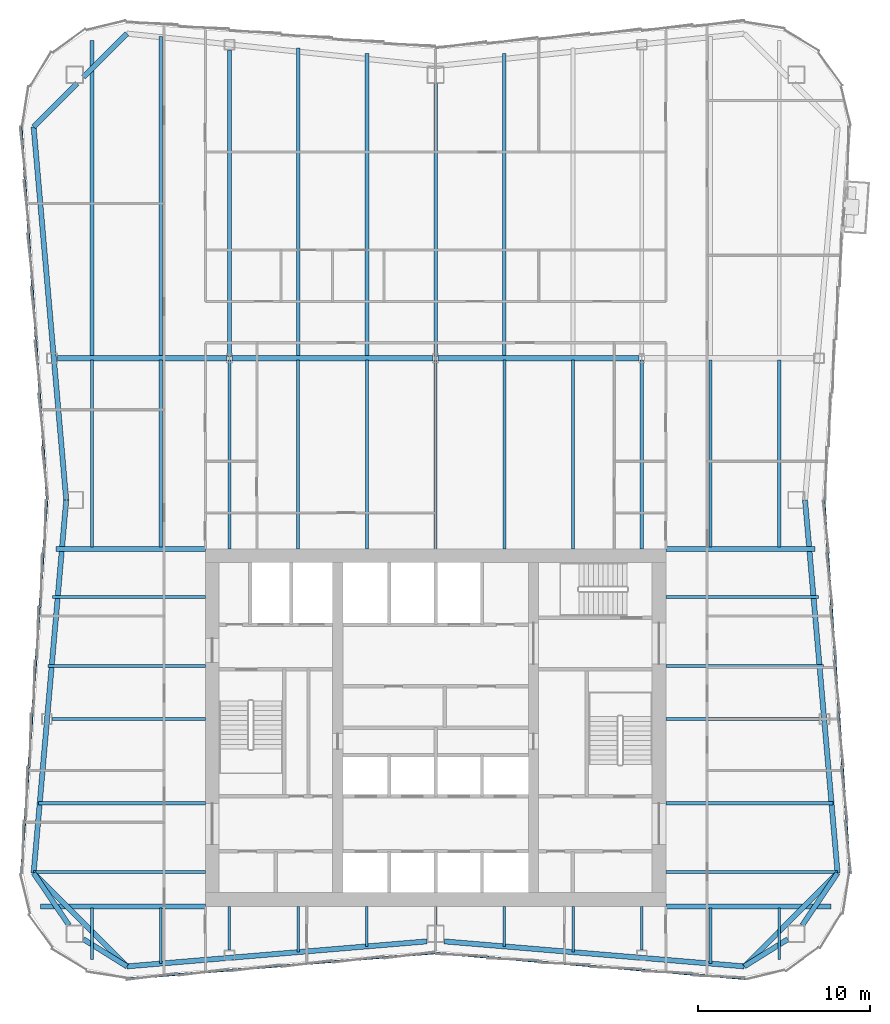
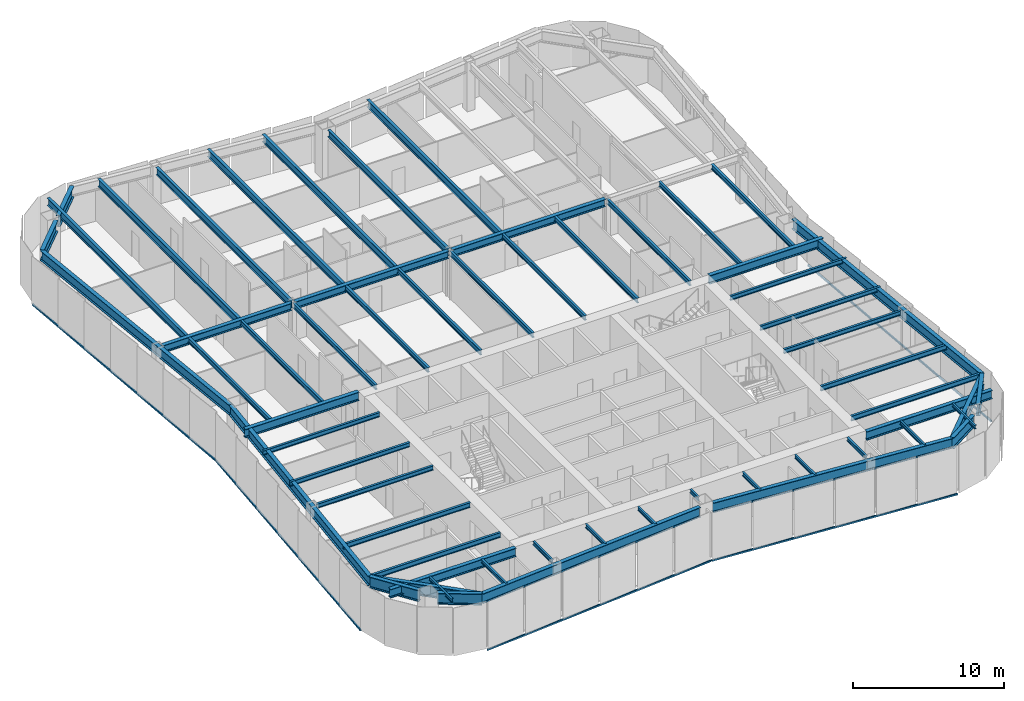
# One storey, part 3 of 12: 59 beams, 5 members, 3 elements without a shape of their own.
"""IFC4 building model written with IfcOpenShell, lengths in metres."""

import ifcopenshell
import ifcopenshell.guid

model = None  # the IFC model being written
_history = None  # IfcOwnerHistory: only IFC2X3 demands one
_inside = {}  # id of a spatial element -> (the spatial element, [elements in it])
_under = {}  # id of a project, library or spatial element -> (it, [spatial elements below it])
_declared = {}  # id of a project -> (the project, [libraries it declares])
_typed = {}  # id of a type object -> (the type object, [elements of that type])
_made_of = {}  # id of a material, layer set ... -> (it, [elements and type objects made of it])


def new_model(schema):
    """Start an empty IFC model of exactly this schema.

    Asked for "IFC4X3", IfcOpenShell would pick the latest addendum, in which some entities
    have other attributes; the version numbers below select the first issue.
    IFC2X3 requires an IfcOwnerHistory on every rooted entity: one is made here for all.
    """
    global model, _history
    if schema == "IFC4X3":
        model = ifcopenshell.file(schema_version=(4, 3, 0, 0))
    else:
        model = ifcopenshell.file(schema=schema)
    _inside.clear()
    _under.clear()
    _declared.clear()
    _typed.clear()
    _made_of.clear()
    _history = None
    if model.schema == "IFC2X3":
        org = make("IfcOrganization", Name="unknown")
        user = make(
            "IfcPersonAndOrganization",
            ThePerson=make("IfcPerson", FamilyName="unknown"),
            TheOrganization=org,
        )
        app = make(
            "IfcApplication",
            ApplicationDeveloper=org,
            Version="unknown",
            ApplicationFullName="unknown",
            ApplicationIdentifier="unknown",
        )
        _history = make(
            "IfcOwnerHistory",
            OwningUser=user,
            OwningApplication=app,
            ChangeAction="ADDED",
            CreationDate=0,
        )
    return model


def make(cls, **values):
    """One entity of the class cls with the attributes given. An attribute that is None is left unset."""
    return model.create_entity(
        cls, **{name: value for name, value in values.items() if value is not None}
    )


def rooted(cls, **values):
    """An entity with a GlobalId (a new one), such as an element, a storey or a relation."""
    return make(cls, GlobalId=ifcopenshell.guid.new(), OwnerHistory=_history, **values)


def si_unit(unit_type, name, prefix=None):
    """IfcSIUnit, for example si_unit("LENGTHUNIT", "METRE", prefix="MILLI")."""
    return make("IfcSIUnit", UnitType=unit_type, Prefix=prefix, Name=name)


def assignment(units):
    """IfcUnitAssignment: the units of a project."""
    return None if units is None else make("IfcUnitAssignment", Units=units)


def point(xyz):
    """IfcCartesianPoint."""
    return None if xyz is None else make("IfcCartesianPoint", Coordinates=xyz)


def direction(xyz):
    """IfcDirection."""
    return None if xyz is None else make("IfcDirection", DirectionRatios=xyz)


def frame(location, z_axis=None, x_axis=None):
    """IfcAxis2Placement3D, a coordinate frame: its origin and axes. An axis left out is left unset."""
    return make(
        "IfcAxis2Placement3D",
        Location=point(location),
        Axis=direction(z_axis),
        RefDirection=direction(x_axis),
    )


def frame_2d(location, x_axis=None):
    """IfcAxis2Placement2D, a coordinate frame in the plane: its origin and x axis."""
    return make(
        "IfcAxis2Placement2D", Location=point(location), RefDirection=direction(x_axis)
    )


def origin():
    """The frame at (0, 0, 0) with its axes left unset."""
    return frame((0.0, 0.0, 0.0))


def origin_2d():
    """The frame at (0, 0) in the plane with its x axis left unset."""
    return frame_2d((0.0, 0.0))


def place(relative_to, where):
    """IfcLocalPlacement: puts the frame where relative to a parent placement (None: the world)."""
    return make(
        "IfcLocalPlacement", PlacementRelTo=relative_to, RelativePlacement=where
    )


def context(
    kind, dimensions, precision=None, world=None, true_north=None, identifier=None
):
    """IfcGeometricRepresentationContext, for example the 3D "Model" context."""
    return make(
        "IfcGeometricRepresentationContext",
        ContextIdentifier=identifier,
        ContextType=kind,
        CoordinateSpaceDimension=dimensions,
        Precision=precision,
        WorldCoordinateSystem=world,
        TrueNorth=true_north,
    )


def subcontext(parent, identifier, kind, view, scale=None):
    """IfcGeometricRepresentationSubContext, for example "Body" below "Model"."""
    return make(
        "IfcGeometricRepresentationSubContext",
        ContextIdentifier=identifier,
        ContextType=kind,
        ParentContext=parent,
        TargetScale=scale,
        TargetView=view,
    )


def project(units=None, contexts=None):
    """IfcProject with its units and contexts."""
    return rooted(
        "IfcProject",
        Name="project",
        RepresentationContexts=contexts,
        UnitsInContext=assignment(units),
    )


def spatial(cls, under=None, at=None, **own):
    """A site, building, storey or space (cls), placed at a placement, below another one or the project."""
    s = rooted(cls, ObjectPlacement=at, **own)
    if under is not None:
        _under.setdefault(under.id(), (under, []))[1].append(s)
    return s


def profile(cls, at=None, kind="AREA", **sizes):
    """A parametric profile (cls). Its sizes go by their IFC names, for example OverallWidth=200.0."""
    return make(cls, ProfileType=kind, Position=at, **sizes)


def rectangle(**sizes):
    """IfcRectangleProfileDef."""
    return profile("IfcRectangleProfileDef", **sizes)


def i_section(**sizes):
    """IfcIShapeProfileDef."""
    return profile("IfcIShapeProfileDef", **sizes)


def extrude(swept, where, along, depth):
    """IfcExtrudedAreaSolid: the profile swept, set in the frame where, extruded along a direction by depth."""
    return make(
        "IfcExtrudedAreaSolid",
        SweptArea=swept,
        Position=where,
        ExtrudedDirection=direction(along),
        Depth=depth,
    )


def shape(context_of_items, identifier, shape_type, items):
    """IfcShapeRepresentation: the items that make up one representation, for example the "Body"."""
    return make(
        "IfcShapeRepresentation",
        ContextOfItems=context_of_items,
        RepresentationIdentifier=identifier,
        RepresentationType=shape_type,
        Items=items,
    )


def material(Name=None, Category=None):
    """IfcMaterial."""
    return make("IfcMaterial", Name=Name, Category=Category)


def material_profile(
    of_material, cross_section, Name=None, Category=None, Priority=None
):
    """IfcMaterialProfile: a cross section and its material."""
    return make(
        "IfcMaterialProfile",
        Name=Name,
        Material=of_material,
        Profile=cross_section,
        Priority=Priority,
        Category=Category,
    )


def profile_set(profiles, Name=None, composite=None):
    """IfcMaterialProfileSet."""
    return make(
        "IfcMaterialProfileSet",
        Name=Name,
        MaterialProfiles=profiles,
        CompositeProfile=composite,
    )


def made_of(thing, what):
    """Note that an element or type object is made of a material, layer set ...; save() writes the relation."""
    if what is not None:
        _made_of.setdefault(what.id(), (what, []))[1].append(thing)
    return thing


def type_object(cls, material=None, **own):
    """A type object (cls), such as IfcWallType, which elements share."""
    return made_of(rooted(cls, **own), material)


def element(
    cls,
    number,
    at=None,
    inside=None,
    cuts=None,
    type_object=None,
    material=None,
    context=None,
    identifier="Body",
    shape_type=None,
    held_by="IfcProductDefinitionShape",
    body=None,
    shapes=None,
    **own,
):
    """One element of the class cls, such as IfcWall. Its Tag is "e" and its number.

    at: its placement. inside: the storey or other place that contains it. cuts: it is an
    opening in that element (IfcRelVoidsElement). A single representation is given by context,
    identifier, shape_type and body (its items); several are given by shapes. held_by: the class
    of the entity that holds the representations. save() writes the other relations.
    """
    e = rooted(cls, Tag="e%d" % number, ObjectPlacement=at, **own)
    if body is not None:
        shapes = [shape(context, identifier, shape_type, body)]
    if shapes is not None:
        e.Representation = make(held_by, Representations=shapes)
    if inside is not None:
        _inside.setdefault(inside.id(), (inside, []))[1].append(e)
    if cuts is not None:
        rooted(
            "IfcRelVoidsElement", RelatingBuildingElement=cuts, RelatedOpeningElement=e
        )
    if type_object is not None:
        _typed.setdefault(type_object.id(), (type_object, []))[1].append(e)
    return made_of(e, material)


def aggregate(whole, parts):
    """IfcRelAggregates: a whole, such as a stair, and the parts it consists of."""
    return rooted("IfcRelAggregates", RelatingObject=whole, RelatedObjects=parts)


def save(model, path):
    """Write the relations noted so far, then the file.

    IfcRelAggregates (storeys below a building ...), IfcRelContainedInSpatialStructure (elements
    in a storey), IfcRelDefinesByType, IfcRelAssociatesMaterial and IfcRelDeclares: one each for
    every whole, place, type object, material and project.
    """
    for whole, parts in _under.values():
        aggregate(whole, parts)
    for where, things in _inside.values():
        rooted(
            "IfcRelContainedInSpatialStructure",
            RelatedElements=things,
            RelatingStructure=where,
        )
    for kind, things in _typed.values():
        rooted("IfcRelDefinesByType", RelatedObjects=things, RelatingType=kind)
    for what, things in _made_of.values():
        rooted("IfcRelAssociatesMaterial", RelatedObjects=things, RelatingMaterial=what)
    for by, libraries in _declared.values():
        rooted("IfcRelDeclares", RelatingContext=by, RelatedDefinitions=libraries)
    model.write(path)


model = new_model("IFC4")

# Units and contexts
model_context = context("Model", 3, precision=1e-05, world=origin(), true_north=direction((0.0, 1.0)))
body_context = subcontext(model_context, "Body", "Model", "MODEL_VIEW")
ifc_project = project(units=[si_unit("LENGTHUNIT", "METRE"), si_unit("AREAUNIT", "SQUARE_METRE"), si_unit("VOLUMEUNIT", "CUBIC_METRE"), si_unit("PLANEANGLEUNIT", "RADIAN"), si_unit("MASSUNIT", "GRAM", prefix="KILO")], contexts=[model_context])

# Site, building, storey
site_placement = place(None, origin())
site = spatial("IfcSite", under=ifc_project, at=site_placement, CompositionType="ELEMENT")
building_placement = place(site_placement, origin())
building = spatial("IfcBuilding", under=site, at=building_placement, Name="Verdant Reach Tower", CompositionType="ELEMENT")
storey_placement = place(building_placement, frame((0.0, 0.0, 242.0)))
storey = spatial("IfcBuildingStorey", under=building, at=storey_placement, Name="L55", CompositionType="ELEMENT", Elevation=242.0)

# Curtain wall, member
ifc_material_1 = material(Name="Anodised aluminium", Category="aluminium")
curtain_wall_type = type_object("IfcCurtainWallType", Name="EN-CW SYSTEM Z4", PredefinedType="NOTDEFINED", material=ifc_material_1)
curtain_wall_1_placement = place(storey_placement, origin())
curtain_wall_1 = element("IfcCurtainWall", 1, at=curtain_wall_1_placement, inside=storey, type_object=curtain_wall_type, Name="Curtain wall east, L55", PredefinedType="NOTDEFINED")
ifc_material_profile_1 = material_profile(ifc_material_1, rectangle(XDim=0.10009765625, YDim=0.1279296875, at=origin_2d()), Name="Transom 128x100")
ifc_profile_set_1 = profile_set([ifc_material_profile_1], Name="Anodised aluminium")
member_type = type_object("IfcMemberType", Name="EN-TRANSOM Z4", PredefinedType="USERDEFINED", material=ifc_profile_set_1)
member_1_placement = place(storey_placement, frame((24.109375, 19.52685546875, -0.285888671875), z_axis=(-0.068770489035, 0.997632507408, 0.0), x_axis=(-0.997632507408, -0.068770489035, 0.0)))
member_1 = element("IfcMember", 2, at=member_1_placement, type_object=member_type, Name="Transom east face part 1 1.1, L55", ObjectType="TRANSOM", PredefinedType="USERDEFINED", context=body_context, shape_type="SweptSolid", body=[
    extrude(rectangle(XDim=0.10009765625, YDim=0.1279296875, at=origin_2d()), origin(), (0.0, 0.0, 1.0), 21.74072265625),
])
aggregate(curtain_wall_1, [member_1])

# Curtain wall, members
curtain_wall_2_placement = place(storey_placement, origin())
curtain_wall_2 = element("IfcCurtainWall", 3, at=curtain_wall_2_placement, inside=storey, type_object=curtain_wall_type, Name="Curtain wall west, L55", PredefinedType="NOTDEFINED")
member_2_placement = place(storey_placement, frame((-24.109375, 62.97314453125, -0.285888671875), z_axis=(0.068770489035, -0.997632507408, 0.0), x_axis=(0.997632507408, 0.068770489035, 0.0)))
member_2 = element("IfcMember", 4, at=member_2_placement, type_object=member_type, Name="Transom west face part 1 1.1, L55", ObjectType="TRANSOM", PredefinedType="USERDEFINED", context=body_context, shape_type="SweptSolid", body=[
    extrude(rectangle(XDim=0.10009765625, YDim=0.1279296875, at=origin_2d()), origin(), (0.0, 0.0, 1.0), 21.74072265625),
])
member_3_placement = place(storey_placement, frame((-22.6142578125, 41.216064453125, -0.285888671875), z_axis=(-0.068770489035, -0.997632507408, 0.0), x_axis=(0.997632507408, -0.068770489035, 0.0)))
member_3 = element("IfcMember", 5, at=member_3_placement, type_object=member_type, Name="Transom west face part 2 1.1, L55", ObjectType="TRANSOM", PredefinedType="USERDEFINED", context=body_context, shape_type="SweptSolid", body=[
    extrude(rectangle(XDim=0.10009765625, YDim=0.1279296875, at=origin_2d()), origin(), (0.0, 0.0, 1.0), 21.74072265625),
])
aggregate(curtain_wall_2, [member_2, member_3])

curtain_wall_3_placement = place(storey_placement, origin())
curtain_wall_3 = element("IfcCurtainWall", 6, at=curtain_wall_3_placement, inside=storey, type_object=curtain_wall_type, Name="Curtain wall south, L55", PredefinedType="NOTDEFINED")
member_4_placement = place(storey_placement, frame((-17.972412109375, 13.39111328125, -0.285888671875), z_axis=(0.996549124771, 0.083005071637, 0.0), x_axis=(-0.083005071637, 0.996549124771, 0.0)))
member_4 = element("IfcMember", 7, at=member_4_placement, type_object=member_type, Name="Transom south face part 1 1.1, L55", ObjectType="TRANSOM", PredefinedType="USERDEFINED", context=body_context, shape_type="SweptSolid", body=[
    extrude(rectangle(XDim=0.10009765625, YDim=0.1279296875, at=origin_2d()), origin(), (0.0, 0.0, 1.0), 18.00048828125),
])
member_5_placement = place(storey_placement, frame((0.033935546875, 14.88525390625, -0.285888671875), z_axis=(0.996549124771, -0.083005071637, 0.0), x_axis=(0.083005071637, 0.996549124771, 0.0)))
member_5 = element("IfcMember", 8, at=member_5_placement, type_object=member_type, Name="Transom south face part 2 1.1, L55", ObjectType="TRANSOM", PredefinedType="USERDEFINED", context=body_context, shape_type="SweptSolid", body=[
    extrude(rectangle(XDim=0.10009765625, YDim=0.1279296875, at=origin_2d()), origin(), (0.0, 0.0, 1.0), 18.00048828125),
])
aggregate(curtain_wall_3, [member_4, member_5])

# Beams
ifc_material_2 = material(Name="Steel S355", Category="steel")
ifc_material_profile_2 = material_profile(ifc_material_2, i_section(OverallWidth=0.300048828125, OverallDepth=0.60009765625, WebThickness=0.015380859375, FlangeThickness=0.030029296875, FilletRadius=0.027099609375, at=origin_2d()), Name="HEB 600")
ifc_profile_set_2 = profile_set([ifc_material_profile_2], Name="Steel S355")
beam_type_1 = type_object("IfcBeamType", Name="ST-BEAM-HEB600", PredefinedType="BEAM", material=ifc_profile_set_2)
beam_1_placement = place(storey_placement, frame((-22.01904296875, 49.5, 3.570068359375), z_axis=(1.0, 0.0, 0.0), x_axis=(0.0, 1.0, 0.0)))
element("IfcBeam", 9, at=beam_1_placement, inside=storey, type_object=beam_type_1, Name="Row girder, L55", PredefinedType="BEAM", context=body_context, shape_type="SweptSolid", body=[
    extrude(i_section(OverallWidth=0.300048828125, OverallDepth=0.60009765625, WebThickness=0.015380859375, FlangeThickness=0.030029296875, FilletRadius=0.027099609375, at=origin_2d()), origin(), (0.0, 0.0, 1.0), 9.865966796875),
])
for number, where, z_axis, x_axis, name in (
    (10, (-11.846923828125, 49.5, 3.570068359375), (1.0, 0.0, 0.0), (0.0, 1.0, 0.0), "Row girder, L55"),
    (11, (0.153076171875, 49.5, 3.570068359375), (1.0, 0.0, 0.0), (0.0, 1.0, 0.0), "Row girder, L55"),
):
    element("IfcBeam", number, at=place(storey_placement, frame(where, z_axis=z_axis, x_axis=x_axis)), inside=storey, type_object=beam_type_1, Name=name, PredefinedType="BEAM", context=body_context, shape_type="SweptSolid", body=[
        extrude(i_section(OverallWidth=0.300048828125, OverallDepth=0.60009765625, WebThickness=0.015380859375, FlangeThickness=0.030029296875, FilletRadius=0.027099609375, at=origin_2d()), origin(), (0.0, 0.0, 1.0), 11.69384765625),
    ])
ifc_material_profile_3 = material_profile(ifc_material_2, i_section(OverallWidth=0.300048828125, OverallDepth=0.699951171875, WebThickness=0.01708984375, FlangeThickness=0.031982421875, FilletRadius=0.027099609375, at=origin_2d()), Name="HEB 700")
ifc_profile_set_3 = profile_set([ifc_material_profile_3], Name="Steel S355")
beam_type_2 = type_object("IfcBeamType", Name="ST-BEAM-HEB700", PredefinedType="BEAM", material=ifc_profile_set_3)
for number, where, z_axis, x_axis, name in (
    (12, (13.39990234375, 38.39990234375, 3.52001953125), (1.0, 0.0, 0.0), (0.0, 1.0, 0.0), "Trimmer beam, L55"),
    (13, (-13.39990234375, 38.39990234375, 3.52001953125), (-1.0, 0.0, 0.0), (0.0, -1.0, 0.0), "Trimmer beam, L55"),
):
    element("IfcBeam", number, at=place(storey_placement, frame(where, z_axis=z_axis, x_axis=x_axis)), inside=storey, type_object=beam_type_2, Name=name, PredefinedType="BEAM", context=body_context, shape_type="SweptSolid", body=[
        extrude(i_section(OverallWidth=0.300048828125, OverallDepth=0.699951171875, WebThickness=0.01708984375, FlangeThickness=0.031982421875, FilletRadius=0.027099609375, at=origin_2d()), origin(), (0.0, 0.0, 1.0), 8.6953125),
    ])
for number, where, z_axis, x_axis, name in (
    (14, (13.39990234375, 17.60009765625, 3.52001953125), (1.0, 0.0, 0.0), (0.0, 1.0, 0.0), "Trimmer beam, L55"),
    (15, (-13.39990234375, 17.60009765625, 3.52001953125), (-1.0, 0.0, 0.0), (0.0, -1.0, 0.0), "Trimmer beam, L55"),
):
    element("IfcBeam", number, at=place(storey_placement, frame(where, z_axis=z_axis, x_axis=x_axis)), inside=storey, type_object=beam_type_2, Name=name, PredefinedType="BEAM", context=body_context, shape_type="SweptSolid", body=[
        extrude(i_section(OverallWidth=0.300048828125, OverallDepth=0.699951171875, WebThickness=0.01708984375, FlangeThickness=0.031982421875, FilletRadius=0.027099609375, at=origin_2d()), origin(), (0.0, 0.0, 1.0), 9.6103515625),
    ])
ifc_material_profile_4 = material_profile(ifc_material_2, i_section(OverallWidth=0.302001953125, OverallDepth=0.909912109375, WebThickness=0.02099609375, FlangeThickness=0.0400390625, FilletRadius=0.030029296875, at=origin_2d()), Name="HEM 900")
ifc_profile_set_4 = profile_set([ifc_material_profile_4], Name="Steel S355")
beam_type_3 = type_object("IfcBeamType", Name="ST-BEAM-HEM900", PredefinedType="BEAM", material=ifc_profile_set_4)
beam_2_placement = place(storey_placement, frame((20.5, 15.687744140625, 3.4150390625), z_axis=(-0.848163521635, -0.529734500073, 0.0), x_axis=(0.529734500073, -0.848163521635, 0.0)))
element("IfcBeam", 16, at=beam_2_placement, inside=storey, type_object=beam_type_3, Name="Column stub beam, L55", PredefinedType="BEAM", context=body_context, shape_type="SweptSolid", body=[
    extrude(i_section(OverallWidth=0.302001953125, OverallDepth=0.909912109375, WebThickness=0.02099609375, FlangeThickness=0.0400390625, FilletRadius=0.030029296875, at=origin_2d()), origin(), (0.0, 0.0, 1.0), 2.98779296875),
])
beam_3_placement = place(storey_placement, frame((21.33837890625, 16.5, 3.4150390625), z_axis=(0.560703975309, 0.828016335631, 0.0), x_axis=(-0.828016335631, 0.560703975309, 0.0)))
element("IfcBeam", 17, at=beam_3_placement, inside=storey, type_object=beam_type_3, Name="Column stub beam, L55", PredefinedType="BEAM", context=body_context, shape_type="SweptSolid", body=[
    extrude(i_section(OverallWidth=0.302001953125, OverallDepth=0.909912109375, WebThickness=0.02099609375, FlangeThickness=0.0400390625, FilletRadius=0.030029296875, at=origin_2d()), origin(), (0.0, 0.0, 1.0), 3.669677734375),
])
beam_4_placement = place(storey_placement, frame((-20.5, 15.687744140625, 3.4150390625), z_axis=(0.848163521635, -0.529734500073, 0.0), x_axis=(0.529734500073, 0.848163521635, 0.0)))
element("IfcBeam", 18, at=beam_4_placement, inside=storey, type_object=beam_type_3, Name="Column stub beam, L55", PredefinedType="BEAM", context=body_context, shape_type="SweptSolid", body=[
    extrude(i_section(OverallWidth=0.302001953125, OverallDepth=0.909912109375, WebThickness=0.02099609375, FlangeThickness=0.0400390625, FilletRadius=0.030029296875, at=origin_2d()), origin(), (0.0, 0.0, 1.0), 2.98779296875),
])
beam_5_placement = place(storey_placement, frame((-21.33837890625, 16.5, 3.4150390625), z_axis=(-0.560703975309, 0.828016335631, 0.0), x_axis=(-0.828016335631, -0.560703975309, 0.0)))
element("IfcBeam", 19, at=beam_5_placement, inside=storey, type_object=beam_type_3, Name="Column stub beam, L55", PredefinedType="BEAM", context=body_context, shape_type="SweptSolid", body=[
    extrude(i_section(OverallWidth=0.302001953125, OverallDepth=0.909912109375, WebThickness=0.02099609375, FlangeThickness=0.0400390625, FilletRadius=0.030029296875, at=origin_2d()), origin(), (0.0, 0.0, 1.0), 3.669677734375),
])
ifc_material_profile_5 = material_profile(ifc_material_2, i_section(OverallWidth=0.14990234375, OverallDepth=0.300048828125, WebThickness=0.007080078125, FlangeThickness=0.0107421875, FilletRadius=0.014892578125, at=origin_2d()), Name="IPE 300")
ifc_profile_set_5 = profile_set([ifc_material_profile_5], Name="Steel S355")
beam_type_4 = type_object("IfcBeamType", Name="ST-JOIST-IPE300", PredefinedType="JOIST", material=ifc_profile_set_5)
beam_6_placement = place(storey_placement, frame((-20.0, 17.5, 3.719970703125), z_axis=(0.0, -1.0, 0.0), x_axis=(1.0, 0.0, 0.0)))
element("IfcBeam", 20, at=beam_6_placement, inside=storey, type_object=beam_type_4, Name="Floor joist, L55", PredefinedType="JOIST", context=body_context, shape_type="SweptSolid", body=[
    extrude(i_section(OverallWidth=0.14990234375, OverallDepth=0.300048828125, WebThickness=0.007080078125, FlangeThickness=0.0107421875, FilletRadius=0.014892578125, at=origin_2d()), origin(), (0.0, 0.0, 1.0), 2.990478515625),
])
beam_7_placement = place(storey_placement, frame((-16.0, 17.5, 3.719970703125), z_axis=(0.0, -1.0, 0.0), x_axis=(1.0, 0.0, 0.0)))
element("IfcBeam", 21, at=beam_7_placement, inside=storey, type_object=beam_type_4, Name="Floor joist, L55", PredefinedType="JOIST", context=body_context, shape_type="SweptSolid", body=[
    extrude(i_section(OverallWidth=0.14990234375, OverallDepth=0.300048828125, WebThickness=0.007080078125, FlangeThickness=0.0107421875, FilletRadius=0.014892578125, at=origin_2d()), origin(), (0.0, 0.0, 1.0), 3.231201171875),
])
beam_8_placement = place(storey_placement, frame((-12.0, 17.60009765625, 3.719970703125), z_axis=(0.0, -1.0, 0.0), x_axis=(1.0, 0.0, 0.0)))
element("IfcBeam", 22, at=beam_8_placement, inside=storey, type_object=beam_type_4, Name="Floor joist, L55", PredefinedType="JOIST", context=body_context, shape_type="SweptSolid", body=[
    extrude(i_section(OverallWidth=0.14990234375, OverallDepth=0.300048828125, WebThickness=0.007080078125, FlangeThickness=0.0107421875, FilletRadius=0.014892578125, at=origin_2d()), origin(), (0.0, 0.0, 1.0), 2.550048828125),
])
beam_9_placement = place(storey_placement, frame((-8.0, 17.60009765625, 3.719970703125), z_axis=(0.0, -1.0, 0.0), x_axis=(1.0, 0.0, 0.0)))
element("IfcBeam", 23, at=beam_9_placement, inside=storey, type_object=beam_type_4, Name="Floor joist, L55", PredefinedType="JOIST", context=body_context, shape_type="SweptSolid", body=[
    extrude(i_section(OverallWidth=0.14990234375, OverallDepth=0.300048828125, WebThickness=0.007080078125, FlangeThickness=0.0107421875, FilletRadius=0.014892578125, at=origin_2d()), origin(), (0.0, 0.0, 1.0), 2.664794921875),
])
beam_10_placement = place(storey_placement, frame((-4.0, 17.60009765625, 3.719970703125), z_axis=(0.0, -1.0, 0.0), x_axis=(1.0, 0.0, 0.0)))
element("IfcBeam", 24, at=beam_10_placement, inside=storey, type_object=beam_type_4, Name="Floor joist, L55", PredefinedType="JOIST", context=body_context, shape_type="SweptSolid", body=[
    extrude(i_section(OverallWidth=0.14990234375, OverallDepth=0.300048828125, WebThickness=0.007080078125, FlangeThickness=0.0107421875, FilletRadius=0.014892578125, at=origin_2d()), origin(), (0.0, 0.0, 1.0), 2.331298828125),
])
beam_11_placement = place(storey_placement, frame((0.0, 17.60009765625, 3.719970703125), z_axis=(0.0, -1.0, 0.0), x_axis=(1.0, 0.0, 0.0)))
element("IfcBeam", 25, at=beam_11_placement, inside=storey, type_object=beam_type_4, Name="Floor joist, L55", PredefinedType="JOIST", context=body_context, shape_type="SweptSolid", body=[
    extrude(i_section(OverallWidth=0.14990234375, OverallDepth=0.300048828125, WebThickness=0.007080078125, FlangeThickness=0.0107421875, FilletRadius=0.014892578125, at=origin_2d()), origin(), (0.0, 0.0, 1.0), 1.10009765625),
])
beam_12_placement = place(storey_placement, frame((4.0, 17.60009765625, 3.719970703125), z_axis=(0.0, -1.0, 0.0), x_axis=(1.0, 0.0, 0.0)))
element("IfcBeam", 26, at=beam_12_placement, inside=storey, type_object=beam_type_4, Name="Floor joist, L55", PredefinedType="JOIST", context=body_context, shape_type="SweptSolid", body=[
    extrude(i_section(OverallWidth=0.14990234375, OverallDepth=0.300048828125, WebThickness=0.007080078125, FlangeThickness=0.0107421875, FilletRadius=0.014892578125, at=origin_2d()), origin(), (0.0, 0.0, 1.0), 2.331298828125),
])
beam_13_placement = place(storey_placement, frame((8.0, 17.60009765625, 3.719970703125), z_axis=(0.0, -1.0, 0.0), x_axis=(1.0, 0.0, 0.0)))
element("IfcBeam", 27, at=beam_13_placement, inside=storey, type_object=beam_type_4, Name="Floor joist, L55", PredefinedType="JOIST", context=body_context, shape_type="SweptSolid", body=[
    extrude(i_section(OverallWidth=0.14990234375, OverallDepth=0.300048828125, WebThickness=0.007080078125, FlangeThickness=0.0107421875, FilletRadius=0.014892578125, at=origin_2d()), origin(), (0.0, 0.0, 1.0), 2.664794921875),
])
beam_14_placement = place(storey_placement, frame((12.0, 17.60009765625, 3.719970703125), z_axis=(0.0, -1.0, 0.0), x_axis=(1.0, 0.0, 0.0)))
element("IfcBeam", 28, at=beam_14_placement, inside=storey, type_object=beam_type_4, Name="Floor joist, L55", PredefinedType="JOIST", context=body_context, shape_type="SweptSolid", body=[
    extrude(i_section(OverallWidth=0.14990234375, OverallDepth=0.300048828125, WebThickness=0.007080078125, FlangeThickness=0.0107421875, FilletRadius=0.014892578125, at=origin_2d()), origin(), (0.0, 0.0, 1.0), 2.550048828125),
])
beam_15_placement = place(storey_placement, frame((16.0, 17.5, 3.719970703125), z_axis=(0.0, -1.0, 0.0), x_axis=(1.0, 0.0, 0.0)))
element("IfcBeam", 29, at=beam_15_placement, inside=storey, type_object=beam_type_4, Name="Floor joist, L55", PredefinedType="JOIST", context=body_context, shape_type="SweptSolid", body=[
    extrude(i_section(OverallWidth=0.14990234375, OverallDepth=0.300048828125, WebThickness=0.007080078125, FlangeThickness=0.0107421875, FilletRadius=0.014892578125, at=origin_2d()), origin(), (0.0, 0.0, 1.0), 3.231201171875),
])
beam_16_placement = place(storey_placement, frame((20.0, 17.5, 3.719970703125), z_axis=(0.0, -1.0, 0.0), x_axis=(1.0, 0.0, 0.0)))
element("IfcBeam", 30, at=beam_16_placement, inside=storey, type_object=beam_type_4, Name="Floor joist, L55", PredefinedType="JOIST", context=body_context, shape_type="SweptSolid", body=[
    extrude(i_section(OverallWidth=0.14990234375, OverallDepth=0.300048828125, WebThickness=0.007080078125, FlangeThickness=0.0107421875, FilletRadius=0.014892578125, at=origin_2d()), origin(), (0.0, 0.0, 1.0), 2.990478515625),
])
ifc_material_profile_6 = material_profile(ifc_material_2, i_section(OverallWidth=0.169921875, OverallDepth=0.360107421875, WebThickness=0.008056640625, FlangeThickness=0.0126953125, FilletRadius=0.01806640625, at=origin_2d()), Name="IPE 360")
ifc_profile_set_6 = profile_set([ifc_material_profile_6], Name="Steel S355")
beam_type_5 = type_object("IfcBeamType", Name="ST-JOIST-IPE360", PredefinedType="JOIST", material=ifc_profile_set_6)
for number, where, z_axis, x_axis, name in (
    (31, (13.39990234375, 28.5, 3.68994140625), (1.0, 0.0, 0.0), (0.0, 1.0, 0.0), "Floor joist, L55"),
    (32, (-13.39990234375, 28.5, 3.68994140625), (-1.0, 0.0, 0.0), (0.0, -1.0, 0.0), "Floor joist, L55"),
):
    element("IfcBeam", number, at=place(storey_placement, frame(where, z_axis=z_axis, x_axis=x_axis)), inside=storey, type_object=beam_type_5, Name=name, PredefinedType="JOIST", context=body_context, shape_type="SweptSolid", body=[
        extrude(i_section(OverallWidth=0.169921875, OverallDepth=0.360107421875, WebThickness=0.008056640625, FlangeThickness=0.0126953125, FilletRadius=0.01806640625, at=origin_2d()), origin(), (0.0, 0.0, 1.0), 8.929443359375),
    ])
for number, where, z_axis, x_axis, name in (
    (33, (13.39990234375, 31.60009765625, 3.68994140625), (1.0, 0.0, 0.0), (0.0, 1.0, 0.0), "Floor joist, L55"),
    (34, (-13.39990234375, 31.60009765625, 3.68994140625), (-1.0, 0.0, 0.0), (0.0, -1.0, 0.0), "Floor joist, L55"),
):
    element("IfcBeam", number, at=place(storey_placement, frame(where, z_axis=z_axis, x_axis=x_axis)), inside=storey, type_object=beam_type_5, Name=name, PredefinedType="JOIST", context=body_context, shape_type="SweptSolid", body=[
        extrude(i_section(OverallWidth=0.169921875, OverallDepth=0.360107421875, WebThickness=0.008056640625, FlangeThickness=0.0126953125, FilletRadius=0.01806640625, at=origin_2d()), origin(), (0.0, 0.0, 1.0), 9.164306640625),
    ])
for number, where, z_axis, x_axis, name in (
    (35, (13.39990234375, 35.60009765625, 3.68994140625), (1.0, 0.0, 0.0), (0.0, 1.0, 0.0), "Floor joist, L55"),
    (36, (-13.39990234375, 35.60009765625, 3.68994140625), (-1.0, 0.0, 0.0), (0.0, -1.0, 0.0), "Floor joist, L55"),
):
    element("IfcBeam", number, at=place(storey_placement, frame(where, z_axis=z_axis, x_axis=x_axis)), inside=storey, type_object=beam_type_5, Name=name, PredefinedType="JOIST", context=body_context, shape_type="SweptSolid", body=[
        extrude(i_section(OverallWidth=0.169921875, OverallDepth=0.360107421875, WebThickness=0.008056640625, FlangeThickness=0.0126953125, FilletRadius=0.01806640625, at=origin_2d()), origin(), (0.0, 0.0, 1.0), 8.88818359375),
    ])
ifc_material_profile_7 = material_profile(ifc_material_2, i_section(OverallWidth=0.179931640625, OverallDepth=0.39990234375, WebThickness=0.008544921875, FlangeThickness=0.013427734375, FilletRadius=0.02099609375, at=origin_2d()), Name="IPE 400")
ifc_profile_set_7 = profile_set([ifc_material_profile_7], Name="Steel S355")
beam_type_6 = type_object("IfcBeamType", Name="ST-JOIST-IPE400", PredefinedType="JOIST", material=ifc_profile_set_7)
for number, where, z_axis, x_axis, name in (
    (37, (-20.0, 38.5, 3.669921875), (0.0, 1.0, 0.0), (-1.0, 0.0, 0.0), "Floor joist, L55"),
    (38, (-16.0, 38.5, 3.669921875), (0.0, 1.0, 0.0), (-1.0, 0.0, 0.0), "Floor joist, L55"),
):
    element("IfcBeam", number, at=place(storey_placement, frame(where, z_axis=z_axis, x_axis=x_axis)), inside=storey, type_object=beam_type_6, Name=name, PredefinedType="JOIST", context=body_context, shape_type="SweptSolid", body=[
        extrude(i_section(OverallWidth=0.179931640625, OverallDepth=0.39990234375, WebThickness=0.008544921875, FlangeThickness=0.013427734375, FilletRadius=0.02099609375, at=origin_2d()), origin(), (0.0, 0.0, 1.0), 10.89990234375),
    ])
for number, where, z_axis, x_axis, name in (
    (39, (-12.0, 38.39990234375, 3.669921875), (0.0, 1.0, 0.0), (-1.0, 0.0, 0.0), "Floor joist, L55"),
    (40, (-8.0, 38.39990234375, 3.669921875), (0.0, 1.0, 0.0), (-1.0, 0.0, 0.0), "Floor joist, L55"),
    (41, (-4.0, 38.39990234375, 3.669921875), (0.0, 1.0, 0.0), (-1.0, 0.0, 0.0), "Floor joist, L55"),
    (42, (0.0, 38.39990234375, 3.669921875), (0.0, 1.0, 0.0), (-1.0, 0.0, 0.0), "Floor joist, L55"),
    (43, (4.0, 38.39990234375, 3.669921875), (0.0, 1.0, 0.0), (-1.0, 0.0, 0.0), "Floor joist, L55"),
    (44, (8.0, 38.39990234375, 3.669921875), (0.0, 1.0, 0.0), (-1.0, 0.0, 0.0), "Floor joist, L55"),
    (45, (12.0, 38.39990234375, 3.669921875), (0.0, 1.0, 0.0), (-1.0, 0.0, 0.0), "Floor joist, L55"),
):
    element("IfcBeam", number, at=place(storey_placement, frame(where, z_axis=z_axis, x_axis=x_axis)), inside=storey, type_object=beam_type_6, Name=name, PredefinedType="JOIST", context=body_context, shape_type="SweptSolid", body=[
        extrude(i_section(OverallWidth=0.179931640625, OverallDepth=0.39990234375, WebThickness=0.008544921875, FlangeThickness=0.013427734375, FilletRadius=0.02099609375, at=origin_2d()), origin(), (0.0, 0.0, 1.0), 11.0),
    ])
for number, where, z_axis, x_axis, name in (
    (46, (16.0, 38.5, 3.669921875), (0.0, 1.0, 0.0), (-1.0, 0.0, 0.0), "Floor joist, L55"),
    (47, (20.0, 38.5, 3.669921875), (0.0, 1.0, 0.0), (-1.0, 0.0, 0.0), "Floor joist, L55"),
):
    element("IfcBeam", number, at=place(storey_placement, frame(where, z_axis=z_axis, x_axis=x_axis)), inside=storey, type_object=beam_type_6, Name=name, PredefinedType="JOIST", context=body_context, shape_type="SweptSolid", body=[
        extrude(i_section(OverallWidth=0.179931640625, OverallDepth=0.39990234375, WebThickness=0.008544921875, FlangeThickness=0.013427734375, FilletRadius=0.02099609375, at=origin_2d()), origin(), (0.0, 0.0, 1.0), 10.89990234375),
    ])
for number, where, z_axis, x_axis, name in (
    (48, (13.39990234375, 19.60009765625, 3.669921875), (1.0, 0.0, 0.0), (0.0, 1.0, 0.0), "Floor joist, L55"),
    (49, (-13.39990234375, 19.60009765625, 3.669921875), (-1.0, 0.0, 0.0), (0.0, -1.0, 0.0), "Floor joist, L55"),
):
    element("IfcBeam", number, at=place(storey_placement, frame(where, z_axis=z_axis, x_axis=x_axis)), inside=storey, type_object=beam_type_6, Name=name, PredefinedType="JOIST", context=body_context, shape_type="SweptSolid", body=[
        extrude(i_section(OverallWidth=0.179931640625, OverallDepth=0.39990234375, WebThickness=0.008544921875, FlangeThickness=0.013427734375, FilletRadius=0.02099609375, at=origin_2d()), origin(), (0.0, 0.0, 1.0), 9.99169921875),
    ])
for number, where, z_axis, x_axis, name in (
    (50, (13.39990234375, 23.60009765625, 3.669921875), (1.0, 0.0, 0.0), (0.0, 1.0, 0.0), "Floor joist, L55"),
    (51, (-13.39990234375, 23.60009765625, 3.669921875), (-1.0, 0.0, 0.0), (0.0, -1.0, 0.0), "Floor joist, L55"),
):
    element("IfcBeam", number, at=place(storey_placement, frame(where, z_axis=z_axis, x_axis=x_axis)), inside=storey, type_object=beam_type_6, Name=name, PredefinedType="JOIST", context=body_context, shape_type="SweptSolid", body=[
        extrude(i_section(OverallWidth=0.179931640625, OverallDepth=0.39990234375, WebThickness=0.008544921875, FlangeThickness=0.013427734375, FilletRadius=0.02099609375, at=origin_2d()), origin(), (0.0, 0.0, 1.0), 9.7158203125),
    ])
ifc_material_profile_8 = material_profile(ifc_material_2, i_section(OverallWidth=0.2099609375, OverallDepth=0.550048828125, WebThickness=0.010986328125, FlangeThickness=0.01708984375, FilletRadius=0.02392578125, at=origin_2d()), Name="IPE 550")
ifc_profile_set_8 = profile_set([ifc_material_profile_8], Name="Steel S355")
beam_type_7 = type_object("IfcBeamType", Name="ST-JOIST-IPE550", PredefinedType="JOIST", material=ifc_profile_set_8)
beam_17_placement = place(storey_placement, frame((0.0, 49.60009765625, 3.594970703125), z_axis=(0.0, 1.0, 0.0), x_axis=(-1.0, 0.0, 0.0)))
element("IfcBeam", 52, at=beam_17_placement, inside=storey, type_object=beam_type_7, Name="Floor joist, L55", PredefinedType="JOIST", context=body_context, shape_type="SweptSolid", body=[
    extrude(i_section(OverallWidth=0.2099609375, OverallDepth=0.550048828125, WebThickness=0.010986328125, FlangeThickness=0.01708984375, FilletRadius=0.02392578125, at=origin_2d()), origin(), (0.0, 0.0, 1.0), 15.89990234375),
])
ifc_material_profile_9 = material_profile(ifc_material_2, i_section(OverallWidth=0.219970703125, OverallDepth=0.60009765625, WebThickness=0.011962890625, FlangeThickness=0.01904296875, FilletRadius=0.02392578125, at=origin_2d()), Name="IPE 600")
ifc_profile_set_9 = profile_set([ifc_material_profile_9], Name="Steel S355")
beam_type_8 = type_object("IfcBeamType", Name="ST-JOIST-IPE600", PredefinedType="JOIST", material=ifc_profile_set_9)
beam_18_placement = place(storey_placement, frame((-20.0, 49.60009765625, 3.570068359375), z_axis=(0.0, 1.0, 0.0), x_axis=(-1.0, 0.0, 0.0)))
element("IfcBeam", 53, at=beam_18_placement, inside=storey, type_object=beam_type_8, Name="Floor joist, L55", PredefinedType="JOIST", context=body_context, shape_type="SweptSolid", body=[
    extrude(i_section(OverallWidth=0.219970703125, OverallDepth=0.60009765625, WebThickness=0.011962890625, FlangeThickness=0.01904296875, FilletRadius=0.02392578125, at=origin_2d()), origin(), (0.0, 0.0, 1.0), 18.390380859375),
])
beam_19_placement = place(storey_placement, frame((-16.0, 49.60009765625, 3.570068359375), z_axis=(0.0, 1.0, 0.0), x_axis=(-1.0, 0.0, 0.0)))
element("IfcBeam", 54, at=beam_19_placement, inside=storey, type_object=beam_type_8, Name="Floor joist, L55", PredefinedType="JOIST", context=body_context, shape_type="SweptSolid", body=[
    extrude(i_section(OverallWidth=0.219970703125, OverallDepth=0.60009765625, WebThickness=0.011962890625, FlangeThickness=0.01904296875, FilletRadius=0.02392578125, at=origin_2d()), origin(), (0.0, 0.0, 1.0), 18.631103515625),
])
beam_20_placement = place(storey_placement, frame((-12.0, 49.60009765625, 3.570068359375), z_axis=(0.0, 1.0, 0.0), x_axis=(-1.0, 0.0, 0.0)))
element("IfcBeam", 55, at=beam_20_placement, inside=storey, type_object=beam_type_8, Name="Floor joist, L55", PredefinedType="JOIST", context=body_context, shape_type="SweptSolid", body=[
    extrude(i_section(OverallWidth=0.219970703125, OverallDepth=0.60009765625, WebThickness=0.011962890625, FlangeThickness=0.01904296875, FilletRadius=0.02392578125, at=origin_2d()), origin(), (0.0, 0.0, 1.0), 17.849853515625),
])
beam_21_placement = place(storey_placement, frame((-8.0, 49.60009765625, 3.570068359375), z_axis=(0.0, 1.0, 0.0), x_axis=(-1.0, 0.0, 0.0)))
element("IfcBeam", 56, at=beam_21_placement, inside=storey, type_object=beam_type_8, Name="Floor joist, L55", PredefinedType="JOIST", context=body_context, shape_type="SweptSolid", body=[
    extrude(i_section(OverallWidth=0.219970703125, OverallDepth=0.60009765625, WebThickness=0.011962890625, FlangeThickness=0.01904296875, FilletRadius=0.02392578125, at=origin_2d()), origin(), (0.0, 0.0, 1.0), 17.964599609375),
])
for number, where, z_axis, x_axis, name in (
    (57, (-4.0, 49.60009765625, 3.570068359375), (0.0, 1.0, 0.0), (-1.0, 0.0, 0.0), "Floor joist, L55"),
    (58, (4.0, 49.60009765625, 3.570068359375), (0.0, 1.0, 0.0), (-1.0, 0.0, 0.0), "Floor joist, L55"),
):
    element("IfcBeam", number, at=place(storey_placement, frame(where, z_axis=z_axis, x_axis=x_axis)), inside=storey, type_object=beam_type_8, Name=name, PredefinedType="JOIST", context=body_context, shape_type="SweptSolid", body=[
        extrude(i_section(OverallWidth=0.219970703125, OverallDepth=0.60009765625, WebThickness=0.011962890625, FlangeThickness=0.01904296875, FilletRadius=0.02392578125, at=origin_2d()), origin(), (0.0, 0.0, 1.0), 17.631103515625),
    ])
ifc_material_profile_10 = material_profile(ifc_material_2, i_section(OverallWidth=0.300048828125, OverallDepth=0.800048828125, WebThickness=0.017578125, FlangeThickness=0.032958984375, FilletRadius=0.030029296875, at=origin_2d()), Name="HEB 800")
ifc_profile_set_10 = profile_set([ifc_material_profile_10], Name="Steel S355")
beam_type_9 = type_object("IfcBeamType", Name="ST-SPANDREL-HEB800", PredefinedType="SPANDREL", material=ifc_profile_set_10)
for number, where, z_axis, x_axis, name in (
    (59, (17.9658203125, 14.10498046875, 3.469970703125), (-0.99654652675, 0.083036257282, 0.0), (-0.083036257282, -0.99654652675, 0.0), "Edge beam, L55"),
    (60, (-0.5, 15.560302734375, 3.469970703125), (-0.99654652675, -0.083036257282, 0.0), (0.083036257282, -0.99654652675, 0.0), "Edge beam, L55"),
):
    element("IfcBeam", number, at=place(storey_placement, frame(where, z_axis=z_axis, x_axis=x_axis)), inside=storey, type_object=beam_type_9, Name=name, PredefinedType="SPANDREL", context=body_context, shape_type="SweptSolid", body=[
        extrude(i_section(OverallWidth=0.300048828125, OverallDepth=0.800048828125, WebThickness=0.017578125, FlangeThickness=0.032958984375, FilletRadius=0.030029296875, at=origin_2d()), origin(), (0.0, 0.0, 1.0), 17.5263671875),
    ])
for number, where, z_axis, x_axis, name in (
    (61, (-23.39599609375, 19.53857421875, 3.469970703125), (0.086996024331, 0.996208658741, 0.0), (-0.996208658741, 0.086996024331, 0.0), "Edge beam, L55"),
    (62, (-21.5, 41.25, 3.469970703125), (-0.086996024331, 0.996208658741, 0.0), (-0.996208658741, -0.086996024331, 0.0), "Edge beam, L55"),
    (63, (21.5, 41.25, 3.469970703125), (0.086996024331, -0.996208658741, 0.0), (0.996208658741, 0.086996024331, 0.0), "Edge beam, L55"),
):
    element("IfcBeam", number, at=place(storey_placement, frame(where, z_axis=z_axis, x_axis=x_axis)), inside=storey, type_object=beam_type_9, Name=name, PredefinedType="SPANDREL", context=body_context, shape_type="SweptSolid", body=[
        extrude(i_section(OverallWidth=0.300048828125, OverallDepth=0.800048828125, WebThickness=0.017578125, FlangeThickness=0.032958984375, FilletRadius=0.030029296875, at=origin_2d()), origin(), (0.0, 0.0, 1.0), 21.7939453125),
    ])
ifc_material_profile_11 = material_profile(ifc_material_2, i_section(OverallWidth=0.302001953125, OverallDepth=0.909912109375, WebThickness=0.02099609375, FlangeThickness=0.0400390625, FilletRadius=0.030029296875, at=origin_2d()), Name="HEM 900")
ifc_profile_set_11 = profile_set([ifc_material_profile_11], Name="Steel S355")
beam_type_10 = type_object("IfcBeamType", Name="ST-SPANDREL-HEM900", PredefinedType="SPANDREL", material=ifc_profile_set_11)
beam_22_placement = place(storey_placement, frame((-17.9658203125, 14.10498046875, 3.4150390625), z_axis=(-0.706884275642, 0.707329216738, 0.0), x_axis=(-0.707329216738, -0.706884275642, 0.0)))
element("IfcBeam", 64, at=beam_22_placement, inside=storey, type_object=beam_type_10, Name="Edge beam, L55", PredefinedType="SPANDREL", context=body_context, shape_type="SweptSolid", body=[
    extrude(i_section(OverallWidth=0.302001953125, OverallDepth=0.909912109375, WebThickness=0.02099609375, FlangeThickness=0.0400390625, FilletRadius=0.030029296875, at=origin_2d()), origin(), (0.0, 0.0, 1.0), 7.681884765625),
])
beam_23_placement = place(storey_placement, frame((-23.39599609375, 62.96142578125, 3.4150390625), z_axis=(0.706902680526, 0.707310822952, 0.0), x_axis=(-0.707310822952, 0.706902680526, 0.0)))
element("IfcBeam", 65, at=beam_23_placement, inside=storey, type_object=beam_type_10, Name="Edge beam, L55", PredefinedType="SPANDREL", context=body_context, shape_type="SweptSolid", body=[
    extrude(i_section(OverallWidth=0.302001953125, OverallDepth=0.909912109375, WebThickness=0.02099609375, FlangeThickness=0.0400390625, FilletRadius=0.030029296875, at=origin_2d()), origin(), (0.0, 0.0, 1.0), 3.589111328125),
])
beam_24_placement = place(storey_placement, frame((-20.5, 65.859130859375, 3.4150390625), z_axis=(0.706868394255, 0.707345087777, 0.0), x_axis=(-0.707345087777, 0.706868394255, 0.0)))
element("IfcBeam", 66, at=beam_24_placement, inside=storey, type_object=beam_type_10, Name="Edge beam, L55", PredefinedType="SPANDREL", context=body_context, shape_type="SweptSolid", body=[
    extrude(i_section(OverallWidth=0.302001953125, OverallDepth=0.909912109375, WebThickness=0.02099609375, FlangeThickness=0.0400390625, FilletRadius=0.030029296875, at=origin_2d()), origin(), (0.0, 0.0, 1.0), 3.5849609375),
])
beam_25_placement = place(storey_placement, frame((23.39599609375, 19.53857421875, 3.4150390625), z_axis=(-0.706884275642, -0.707329216738, 0.0), x_axis=(0.707329216738, -0.706884275642, 0.0)))
element("IfcBeam", 67, at=beam_25_placement, inside=storey, type_object=beam_type_10, Name="Edge beam, L55", PredefinedType="SPANDREL", context=body_context, shape_type="SweptSolid", body=[
    extrude(i_section(OverallWidth=0.302001953125, OverallDepth=0.909912109375, WebThickness=0.02099609375, FlangeThickness=0.0400390625, FilletRadius=0.030029296875, at=origin_2d()), origin(), (0.0, 0.0, 1.0), 7.681884765625),
])

save(model, "model.ifc")
